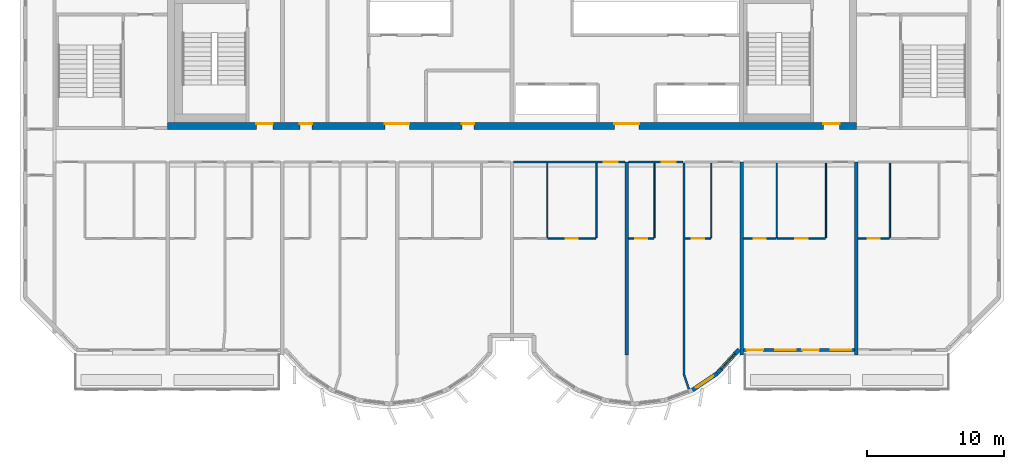
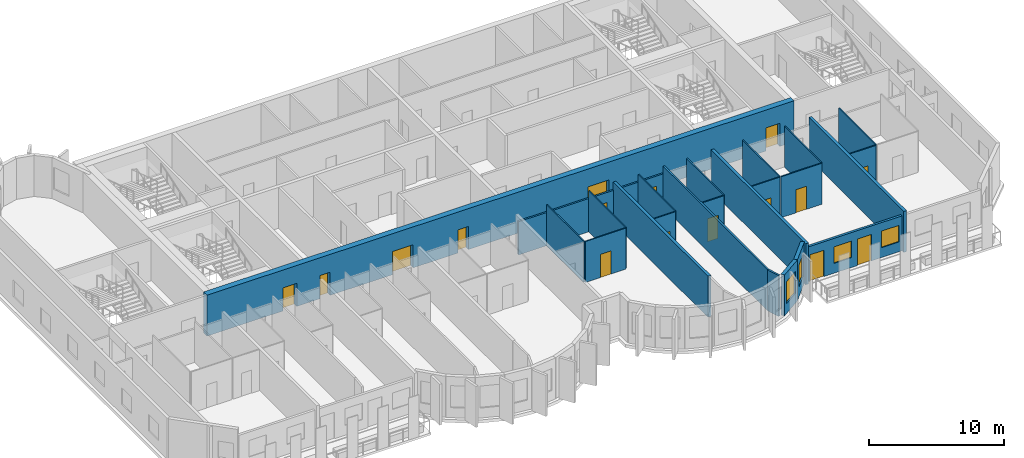
# One storey, part 5 of 12: 24 walls, 16 doors, 4 windows, 20 openings.
"""IFC4 building model written with IfcOpenShell, lengths in metres."""

import ifcopenshell
import ifcopenshell.guid

model = None  # the IFC model being written
_history = None  # IfcOwnerHistory: only IFC2X3 demands one
_inside = {}  # id of a spatial element -> (the spatial element, [elements in it])
_under = {}  # id of a project, library or spatial element -> (it, [spatial elements below it])
_declared = {}  # id of a project -> (the project, [libraries it declares])
_typed = {}  # id of a type object -> (the type object, [elements of that type])
_made_of = {}  # id of a material, layer set ... -> (it, [elements and type objects made of it])


def new_model(schema):
    """Start an empty IFC model of exactly this schema.

    Asked for "IFC4X3", IfcOpenShell would pick the latest addendum, in which some entities
    have other attributes; the version numbers below select the first issue.
    IFC2X3 requires an IfcOwnerHistory on every rooted entity: one is made here for all.
    """
    global model, _history
    if schema == "IFC4X3":
        model = ifcopenshell.file(schema_version=(4, 3, 0, 0))
    else:
        model = ifcopenshell.file(schema=schema)
    _inside.clear()
    _under.clear()
    _declared.clear()
    _typed.clear()
    _made_of.clear()
    _history = None
    if model.schema == "IFC2X3":
        org = make("IfcOrganization", Name="unknown")
        user = make(
            "IfcPersonAndOrganization",
            ThePerson=make("IfcPerson", FamilyName="unknown"),
            TheOrganization=org,
        )
        app = make(
            "IfcApplication",
            ApplicationDeveloper=org,
            Version="unknown",
            ApplicationFullName="unknown",
            ApplicationIdentifier="unknown",
        )
        _history = make(
            "IfcOwnerHistory",
            OwningUser=user,
            OwningApplication=app,
            ChangeAction="ADDED",
            CreationDate=0,
        )
    return model


def make(cls, **values):
    """One entity of the class cls with the attributes given. An attribute that is None is left unset."""
    return model.create_entity(
        cls, **{name: value for name, value in values.items() if value is not None}
    )


def rooted(cls, **values):
    """An entity with a GlobalId (a new one), such as an element, a storey or a relation."""
    return make(cls, GlobalId=ifcopenshell.guid.new(), OwnerHistory=_history, **values)


def si_unit(unit_type, name, prefix=None):
    """IfcSIUnit, for example si_unit("LENGTHUNIT", "METRE", prefix="MILLI")."""
    return make("IfcSIUnit", UnitType=unit_type, Prefix=prefix, Name=name)


def assignment(units):
    """IfcUnitAssignment: the units of a project."""
    return None if units is None else make("IfcUnitAssignment", Units=units)


def point(xyz):
    """IfcCartesianPoint."""
    return None if xyz is None else make("IfcCartesianPoint", Coordinates=xyz)


def direction(xyz):
    """IfcDirection."""
    return None if xyz is None else make("IfcDirection", DirectionRatios=xyz)


def frame(location, z_axis=None, x_axis=None):
    """IfcAxis2Placement3D, a coordinate frame: its origin and axes. An axis left out is left unset."""
    return make(
        "IfcAxis2Placement3D",
        Location=point(location),
        Axis=direction(z_axis),
        RefDirection=direction(x_axis),
    )


def frame_2d(location, x_axis=None):
    """IfcAxis2Placement2D, a coordinate frame in the plane: its origin and x axis."""
    return make(
        "IfcAxis2Placement2D", Location=point(location), RefDirection=direction(x_axis)
    )


def origin():
    """The frame at (0, 0, 0) with its axes left unset."""
    return frame((0.0, 0.0, 0.0))


def place(relative_to, where):
    """IfcLocalPlacement: puts the frame where relative to a parent placement (None: the world)."""
    return make(
        "IfcLocalPlacement", PlacementRelTo=relative_to, RelativePlacement=where
    )


def context(
    kind, dimensions, precision=None, world=None, true_north=None, identifier=None
):
    """IfcGeometricRepresentationContext, for example the 3D "Model" context."""
    return make(
        "IfcGeometricRepresentationContext",
        ContextIdentifier=identifier,
        ContextType=kind,
        CoordinateSpaceDimension=dimensions,
        Precision=precision,
        WorldCoordinateSystem=world,
        TrueNorth=true_north,
    )


def subcontext(parent, identifier, kind, view, scale=None):
    """IfcGeometricRepresentationSubContext, for example "Body" below "Model"."""
    return make(
        "IfcGeometricRepresentationSubContext",
        ContextIdentifier=identifier,
        ContextType=kind,
        ParentContext=parent,
        TargetScale=scale,
        TargetView=view,
    )


def project(units=None, contexts=None):
    """IfcProject with its units and contexts."""
    return rooted(
        "IfcProject",
        Name="project",
        RepresentationContexts=contexts,
        UnitsInContext=assignment(units),
    )


def spatial(cls, under=None, at=None, **own):
    """A site, building, storey or space (cls), placed at a placement, below another one or the project."""
    s = rooted(cls, ObjectPlacement=at, **own)
    if under is not None:
        _under.setdefault(under.id(), (under, []))[1].append(s)
    return s


def profile(cls, at=None, kind="AREA", **sizes):
    """A parametric profile (cls). Its sizes go by their IFC names, for example OverallWidth=200.0."""
    return make(cls, ProfileType=kind, Position=at, **sizes)


def rectangle(**sizes):
    """IfcRectangleProfileDef."""
    return profile("IfcRectangleProfileDef", **sizes)


def extrude(swept, where, along, depth):
    """IfcExtrudedAreaSolid: the profile swept, set in the frame where, extruded along a direction by depth."""
    return make(
        "IfcExtrudedAreaSolid",
        SweptArea=swept,
        Position=where,
        ExtrudedDirection=direction(along),
        Depth=depth,
    )


def shape(context_of_items, identifier, shape_type, items):
    """IfcShapeRepresentation: the items that make up one representation, for example the "Body"."""
    return make(
        "IfcShapeRepresentation",
        ContextOfItems=context_of_items,
        RepresentationIdentifier=identifier,
        RepresentationType=shape_type,
        Items=items,
    )


def source(mapping_origin, context_of_items, identifier, shape_type, items):
    """IfcRepresentationMap: a shape defined once, which mapped items show again and again."""
    return make(
        "IfcRepresentationMap",
        MappingOrigin=mapping_origin,
        MappedRepresentation=shape(context_of_items, identifier, shape_type, items),
    )


def transform(
    local_origin,
    x_axis=None,
    y_axis=None,
    z_axis=None,
    scale=None,
    scale2=None,
    scale3=None,
    uniform=True,
):
    """IfcCartesianTransformationOperator3D, or its non-uniform kind. x_axis, y_axis, z_axis: its Axis1, 2, 3."""
    if uniform:
        return make(
            "IfcCartesianTransformationOperator3D",
            Axis1=direction(x_axis),
            Axis2=direction(y_axis),
            LocalOrigin=point(local_origin),
            Scale=scale,
            Axis3=direction(z_axis),
        )
    return make(
        "IfcCartesianTransformationOperator3DnonUniform",
        Axis1=direction(x_axis),
        Axis2=direction(y_axis),
        LocalOrigin=point(local_origin),
        Scale=scale,
        Axis3=direction(z_axis),
        Scale2=scale2,
        Scale3=scale3,
    )


def mapped(mapping_source, mapping_target):
    """IfcMappedItem: shows the shape of a source again, moved by a transform."""
    return make(
        "IfcMappedItem", MappingSource=mapping_source, MappingTarget=mapping_target
    )


def material(Name=None, Category=None):
    """IfcMaterial."""
    return make("IfcMaterial", Name=Name, Category=Category)


def layer(
    of_material, thickness, ventilated=None, Name=None, Category=None, Priority=None
):
    """IfcMaterialLayer: one layer of a wall or slab, of a material (None: an air gap)."""
    return make(
        "IfcMaterialLayer",
        Material=of_material,
        LayerThickness=thickness,
        IsVentilated=ventilated,
        Name=Name,
        Category=Category,
        Priority=Priority,
    )


def layer_set(layers, Name=None):
    """IfcMaterialLayerSet."""
    return make("IfcMaterialLayerSet", MaterialLayers=layers, LayerSetName=Name)


def made_of(thing, what):
    """Note that an element or type object is made of a material, layer set ...; save() writes the relation."""
    if what is not None:
        _made_of.setdefault(what.id(), (what, []))[1].append(thing)
    return thing


def type_object(cls, material=None, **own):
    """A type object (cls), such as IfcWallType, which elements share."""
    return made_of(rooted(cls, **own), material)


def element(
    cls,
    number,
    at=None,
    inside=None,
    cuts=None,
    type_object=None,
    material=None,
    context=None,
    identifier="Body",
    shape_type=None,
    held_by="IfcProductDefinitionShape",
    body=None,
    shapes=None,
    **own,
):
    """One element of the class cls, such as IfcWall. Its Tag is "e" and its number.

    at: its placement. inside: the storey or other place that contains it. cuts: it is an
    opening in that element (IfcRelVoidsElement). A single representation is given by context,
    identifier, shape_type and body (its items); several are given by shapes. held_by: the class
    of the entity that holds the representations. save() writes the other relations.
    """
    e = rooted(cls, Tag="e%d" % number, ObjectPlacement=at, **own)
    if body is not None:
        shapes = [shape(context, identifier, shape_type, body)]
    if shapes is not None:
        e.Representation = make(held_by, Representations=shapes)
    if inside is not None:
        _inside.setdefault(inside.id(), (inside, []))[1].append(e)
    if cuts is not None:
        rooted(
            "IfcRelVoidsElement", RelatingBuildingElement=cuts, RelatedOpeningElement=e
        )
    if type_object is not None:
        _typed.setdefault(type_object.id(), (type_object, []))[1].append(e)
    return made_of(e, material)


def fill(opening, filler):
    """IfcRelFillsElement: the door or window that sits in an opening."""
    return rooted(
        "IfcRelFillsElement",
        RelatingOpeningElement=opening,
        RelatedBuildingElement=filler,
    )


def aggregate(whole, parts):
    """IfcRelAggregates: a whole, such as a stair, and the parts it consists of."""
    return rooted("IfcRelAggregates", RelatingObject=whole, RelatedObjects=parts)


def save(model, path):
    """Write the relations noted so far, then the file.

    IfcRelAggregates (storeys below a building ...), IfcRelContainedInSpatialStructure (elements
    in a storey), IfcRelDefinesByType, IfcRelAssociatesMaterial and IfcRelDeclares: one each for
    every whole, place, type object, material and project.
    """
    for whole, parts in _under.values():
        aggregate(whole, parts)
    for where, things in _inside.values():
        rooted(
            "IfcRelContainedInSpatialStructure",
            RelatedElements=things,
            RelatingStructure=where,
        )
    for kind, things in _typed.values():
        rooted("IfcRelDefinesByType", RelatedObjects=things, RelatingType=kind)
    for what, things in _made_of.values():
        rooted("IfcRelAssociatesMaterial", RelatedObjects=things, RelatingMaterial=what)
    for by, libraries in _declared.values():
        rooted("IfcRelDeclares", RelatingContext=by, RelatedDefinitions=libraries)
    model.write(path)


model = new_model("IFC4")

# Units and contexts
model_context = context("Model", 3, precision=1e-05, world=origin(), true_north=direction((0.0, 1.0)))
body_context = subcontext(model_context, "Body", "Model", "MODEL_VIEW")
ifc_project = project(units=[si_unit("LENGTHUNIT", "METRE"), si_unit("AREAUNIT", "SQUARE_METRE"), si_unit("VOLUMEUNIT", "CUBIC_METRE"), si_unit("PLANEANGLEUNIT", "RADIAN"), si_unit("MASSUNIT", "GRAM", prefix="KILO")], contexts=[model_context])

# Site, building, storey
site_placement = place(None, origin())
site = spatial("IfcSite", under=ifc_project, at=site_placement, CompositionType="ELEMENT")
building_placement = place(site_placement, origin())
building = spatial("IfcBuilding", under=site, at=building_placement, Name="Vanashikhar Sky Hotel", CompositionType="ELEMENT")
storey_placement = place(building_placement, frame((0.0, 0.0, 293.699951171875)))
storey = spatial("IfcBuildingStorey", under=building, at=storey_placement, Name="L70", CompositionType="ELEMENT", Elevation=293.699951171875)

# Wall, openings, doors
ifc_material_1 = material(Name="Concrete M50", Category="concrete")
ifc_layer_1 = layer(ifc_material_1, 0.5)
ifc_layer_set_1 = layer_set([ifc_layer_1], Name="RC core shell wall 500 Concrete M50")
wall_type_1 = type_object("IfcWallType", Name="RC core shell wall 500 Concrete M50", PredefinedType="SHEAR", material=ifc_layer_set_1)
shared_shape_1 = source(origin(), body_context, "Body", "SweptSolid", [
    extrude(rectangle(XDim=50.400146484375, YDim=0.5, at=frame_2d((25.2001953125, 0.0))), origin(), (0.0, 0.0, 1.0), 3.719970703125),
])
wall_1_placement = place(storey_placement, frame((25.199951171875, 22.25, 0.0), z_axis=(0.0, 0.0, 1.0), x_axis=(1.0, 0.0, 0.0)))
wall_1 = element("IfcWall", 1, at=wall_1_placement, inside=storey, type_object=wall_type_1, Name="KW-L70-KS", PredefinedType="SHEAR", context=body_context, shape_type="MappedRepresentation", body=[
    mapped(shared_shape_1, transform((0.0, 0.0, 0.0), scale=1.0)),
])
shared_shape_2 = source(origin(), body_context, "Body", "SweptSolid", [
    extrude(rectangle(XDim=1.800048828125, YDim=2.10009765625, at=frame_2d((0.89990234375, 1.050048828125))), frame((0.0, 0.260009765625, 0.0), z_axis=(0.0, -1.0, 0.0), x_axis=(1.0, 0.0, 0.0)), (0.0, 0.0, 1.0), 0.52001953125),
])
opening_1_placement = place(wall_1_placement, frame((15.89990234375, 0.0, 0.0)))
opening_1 = element("IfcOpeningElement", 2, at=opening_1_placement, cuts=wall_1, Name="Opening DC-3-A", PredefinedType="OPENING", context=body_context, shape_type="MappedRepresentation", body=[
    mapped(shared_shape_2, transform((0.0, 0.0, 0.0), scale=1.0)),
])
shared_shape_3 = source(origin(), body_context, "Body", "SweptSolid", [
    extrude(rectangle(XDim=0.89990234375, YDim=2.10009765625, at=frame_2d((0.449951171875, 1.050048828125))), frame((0.0, 0.260009765625, 0.0), z_axis=(0.0, -1.0, 0.0), x_axis=(1.0, 0.0, 0.0)), (0.0, 0.0, 1.0), 0.52001953125),
])
opening_2_placement = place(wall_1_placement, frame((9.675048828125, 0.0, 0.0)))
opening_2 = element("IfcOpeningElement", 3, at=opening_2_placement, cuts=wall_1, Name="Opening DC-4-A", PredefinedType="OPENING", context=body_context, shape_type="MappedRepresentation", body=[
    mapped(shared_shape_3, transform((0.0, 0.0, 0.0), scale=1.0)),
])
opening_3_placement = place(wall_1_placement, frame((21.52490234375, 0.0, 0.0)))
opening_3 = element("IfcOpeningElement", 4, at=opening_3_placement, cuts=wall_1, Name="Opening DC-4-A", PredefinedType="OPENING", context=body_context, shape_type="MappedRepresentation", body=[
    mapped(shared_shape_3, transform((0.0, 0.0, 0.0), scale=1.0)),
])
opening_4_placement = place(wall_1_placement, frame((32.699951171875, 0.0, 0.0)))
opening_4 = element("IfcOpeningElement", 5, at=opening_4_placement, cuts=wall_1, Name="Opening DC-3-A", PredefinedType="OPENING", context=body_context, shape_type="MappedRepresentation", body=[
    mapped(shared_shape_2, transform((0.0, 0.0, 0.0), scale=1.0)),
])
shared_shape_4 = source(origin(), body_context, "Body", "SweptSolid", [
    extrude(rectangle(XDim=1.199951171875, YDim=2.10009765625, at=frame_2d((0.60009765625, 1.050048828125))), frame((0.0, 0.260009765625, 0.0), z_axis=(0.0, -1.0, 0.0), x_axis=(1.0, 0.0, 0.0)), (0.0, 0.0, 1.0), 0.52001953125),
])
opening_5_placement = place(wall_1_placement, frame((6.5, 0.0, 0.0)))
opening_5 = element("IfcOpeningElement", 6, at=opening_5_placement, cuts=wall_1, Name="Opening DC-2", PredefinedType="OPENING", context=body_context, shape_type="MappedRepresentation", body=[
    mapped(shared_shape_4, transform((0.0, 0.0, 0.0), scale=1.0)),
])
opening_6_placement = place(wall_1_placement, frame((47.97509765625, 0.0, 0.0)))
opening_6 = element("IfcOpeningElement", 7, at=opening_6_placement, cuts=wall_1, Name="Opening DC-2", PredefinedType="OPENING", context=body_context, shape_type="MappedRepresentation", body=[
    mapped(shared_shape_4, transform((0.0, 0.0, 0.0), scale=1.0)),
])
ifc_material_2 = material(Name="Steel", Category="steel")
door_type_1 = type_object("IfcDoorType", Name="Firefighting lobby door 1200 FD120", OperationType="NOTDEFINED", PredefinedType="DOOR", material=ifc_material_2)
shared_shape_5 = source(origin(), body_context, "Body", "SweptSolid", [
    extrude(rectangle(XDim=1.199951171875, YDim=2.10009765625, at=frame_2d((0.60009765625, 1.050048828125))), frame((0.0, 0.1748046875, 0.0), z_axis=(0.0, -1.0, 0.0), x_axis=(1.0, 0.0, 0.0)), (0.0, 0.0, 1.0), 0.050048828125),
])
door_1_placement = place(opening_5_placement, origin())
door_1 = element("IfcDoor", 8, at=door_1_placement, inside=storey, type_object=door_type_1, Name="Firefighting lobby door 1200 FD120", OperationType="SINGLE_SWING_LEFT", OverallHeight=2.10009765625, OverallWidth=1.199951171875, PredefinedType="DOOR", context=body_context, shape_type="MappedRepresentation", body=[
    mapped(shared_shape_5, transform((0.0, 0.0, 0.0), scale=1.0)),
])
fill(opening_5, door_1)
door_2_placement = place(opening_6_placement, origin())
door_2 = element("IfcDoor", 9, at=door_2_placement, inside=storey, type_object=door_type_1, Name="Firefighting lobby door 1200 FD120", OperationType="SINGLE_SWING_RIGHT", OverallHeight=2.10009765625, OverallWidth=1.199951171875, PredefinedType="DOOR", context=body_context, shape_type="MappedRepresentation", body=[
    mapped(shared_shape_5, transform((0.0, 0.0, 0.0), scale=1.0)),
])
fill(opening_6, door_2)
door_type_2 = type_object("IfcDoorType", Name="Service door 900 FD60", OperationType="NOTDEFINED", PredefinedType="DOOR", material=ifc_material_2)
shared_shape_6 = source(origin(), body_context, "Body", "SweptSolid", [
    extrude(rectangle(XDim=0.89990234375, YDim=2.10009765625, at=frame_2d((0.449951171875, 1.050048828125))), frame((0.0, 0.1748046875, 0.0), z_axis=(0.0, -1.0, 0.0), x_axis=(1.0, 0.0, 0.0)), (0.0, 0.0, 1.0), 0.050048828125),
])
door_3_placement = place(opening_2_placement, origin())
door_3 = element("IfcDoor", 10, at=door_3_placement, inside=storey, type_object=door_type_2, Name="Service door 900 FD60", OperationType="SINGLE_SWING_RIGHT", OverallHeight=2.10009765625, OverallWidth=0.89990234375, PredefinedType="DOOR", context=body_context, shape_type="MappedRepresentation", body=[
    mapped(shared_shape_6, transform((0.0, 0.0, 0.0), scale=1.0)),
])
fill(opening_2, door_3)
door_4_placement = place(opening_3_placement, origin())
door_4 = element("IfcDoor", 11, at=door_4_placement, inside=storey, type_object=door_type_2, Name="Service door 900 FD60", OperationType="SINGLE_SWING_LEFT", OverallHeight=2.10009765625, OverallWidth=0.89990234375, PredefinedType="DOOR", context=body_context, shape_type="MappedRepresentation", body=[
    mapped(shared_shape_6, transform((0.0, 0.0, 0.0), scale=1.0)),
])
fill(opening_3, door_4)
ifc_material_3 = material(Name="Glass", Category="glass")
door_type_3 = type_object("IfcDoorType", Name="Lift lobby entrance door 1800 FD30S", OperationType="NOTDEFINED", PredefinedType="DOOR", material=ifc_material_3)
shared_shape_7 = source(origin(), body_context, "Body", "SweptSolid", [
    extrude(rectangle(XDim=1.800048828125, YDim=2.10009765625, at=frame_2d((0.89990234375, 1.050048828125))), frame((0.0, 0.1748046875, 0.0), z_axis=(0.0, -1.0, 0.0), x_axis=(1.0, 0.0, 0.0)), (0.0, 0.0, 1.0), 0.050048828125),
])
door_5_placement = place(opening_1_placement, origin())
door_5 = element("IfcDoor", 12, at=door_5_placement, inside=storey, type_object=door_type_3, Name="Lift lobby entrance door 1800 FD30S", OperationType="DOUBLE_DOOR_SINGLE_SWING", OverallHeight=2.10009765625, OverallWidth=1.800048828125, PredefinedType="DOOR", context=body_context, shape_type="MappedRepresentation", body=[
    mapped(shared_shape_7, transform((0.0, 0.0, 0.0), scale=1.0)),
])
fill(opening_1, door_5)
door_6_placement = place(opening_4_placement, origin())
door_6 = element("IfcDoor", 13, at=door_6_placement, inside=storey, type_object=door_type_3, Name="Lift lobby entrance door 1800 FD30S", OperationType="DOUBLE_DOOR_SINGLE_SWING", OverallHeight=2.10009765625, OverallWidth=1.800048828125, PredefinedType="DOOR", context=body_context, shape_type="MappedRepresentation", body=[
    mapped(shared_shape_7, transform((0.0, 0.0, 0.0), scale=1.0)),
])
fill(opening_4, door_6)

# Walls
ifc_layer_2 = layer(ifc_material_1, 0.25)
ifc_layer_set_2 = layer_set([ifc_layer_2], Name="RC shear wall 250 Concrete M50")
wall_type_2 = type_object("IfcWallType", Name="RC shear wall 250 Concrete M50", PredefinedType="SHEAR", material=ifc_layer_set_2)
shared_shape_8 = source(origin(), body_context, "Body", "SweptSolid", [
    extrude(rectangle(XDim=14.10009765625, YDim=0.25, at=frame_2d((7.050048828125, 0.0))), origin(), (0.0, 0.0, 1.0), 3.719970703125),
])
for number, where, z_axis, x_axis, name in (
    (14, (58.800048828125, 5.5, 0.0), (0.0, 0.0, 1.0), (0.0, 1.0, 0.0), "CW-L70-XW08-1"),
    (15, (67.199951171875, 5.5, 0.0), (0.0, 0.0, 1.0), (0.0, 1.0, 0.0), "CW-L70-XW09-1"),
    (16, (75.60009765625, 5.5, 0.0), (0.0, 0.0, 1.0), (0.0, 1.0, 0.0), "CW-L70-XW10-1"),
):
    element("IfcWall", number, at=place(storey_placement, frame(where, z_axis=z_axis, x_axis=x_axis)), inside=storey, type_object=wall_type_2, Name=name, PredefinedType="SHEAR", context=body_context, shape_type="MappedRepresentation", body=[
        mapped(shared_shape_8, transform((0.0, 0.0, 0.0), scale=1.0)),
    ])

# Wall, openings, windows, doors
ifc_layer_3 = layer(ifc_material_1, 0.199951171875)
ifc_layer_set_3 = layer_set([ifc_layer_3], Name="Front window wall 200")
wall_type_3 = type_object("IfcWallType", Name="Front window wall 200", PredefinedType="SOLIDWALL", material=ifc_layer_set_3)
shared_shape_9 = source(origin(), body_context, "Body", "SweptSolid", [
    extrude(rectangle(XDim=8.150146484375, YDim=0.199951171875, at=frame_2d((4.0751953125, 0.0))), origin(), (0.0, 0.0, 1.0), 3.170166015625),
])
wall_2_placement = place(storey_placement, frame((67.324951171875, 5.85009765625, 0.0), z_axis=(0.0, 0.0, 1.0), x_axis=(1.0, 0.0, 0.0)))
wall_2 = element("IfcWall", 17, at=wall_2_placement, inside=storey, type_object=wall_type_3, Name="Front window wall", PredefinedType="SOLIDWALL", context=body_context, shape_type="MappedRepresentation", body=[
    mapped(shared_shape_9, transform((0.0, 0.0, 0.0), scale=1.0)),
])
shared_shape_10 = source(origin(), body_context, "Body", "SweptSolid", [
    extrude(rectangle(XDim=1.199951171875, YDim=2.39990234375, at=frame_2d((0.60009765625, 1.199951171875))), frame((0.0, 0.10986328125, 0.0), z_axis=(0.0, -1.0, 0.0), x_axis=(1.0, 0.0, 0.0)), (0.0, 0.0, 1.0), 0.219970703125),
])
opening_7_placement = place(wall_2_placement, frame((0.25, 0.0, 0.0)))
opening_7 = element("IfcOpeningElement", 18, at=opening_7_placement, cuts=wall_2, Name="Opening BD-03", PredefinedType="OPENING", context=body_context, shape_type="MappedRepresentation", body=[
    mapped(shared_shape_10, transform((0.0, 0.0, 0.0), scale=1.0)),
])
shared_shape_11 = source(origin(), body_context, "Body", "SweptSolid", [
    extrude(rectangle(XDim=1.5, YDim=1.5, at=frame_2d((0.75, 0.75))), frame((0.0, 0.10986328125, 0.0), z_axis=(0.0, -1.0, 0.0), x_axis=(1.0, 0.0, 0.0)), (0.0, 0.0, 1.0), 0.219970703125),
])
opening_8_placement = place(wall_2_placement, frame((2.324951171875, 0.0, 0.89990234375)))
opening_8 = element("IfcOpeningElement", 19, at=opening_8_placement, cuts=wall_2, Name="Opening WN-1", PredefinedType="OPENING", context=body_context, shape_type="MappedRepresentation", body=[
    mapped(shared_shape_11, transform((0.0, 0.0, 0.0), scale=1.0)),
])
opening_9_placement = place(wall_2_placement, frame((4.324951171875, 0.0, 0.0)))
opening_9 = element("IfcOpeningElement", 20, at=opening_9_placement, cuts=wall_2, Name="Opening BD-04", PredefinedType="OPENING", context=body_context, shape_type="MappedRepresentation", body=[
    mapped(shared_shape_10, transform((0.0, 0.0, 0.0), scale=1.0)),
])
opening_10_placement = place(wall_2_placement, frame((6.39990234375, 0.0, 0.89990234375)))
opening_10 = element("IfcOpeningElement", 21, at=opening_10_placement, cuts=wall_2, Name="Opening WN-1", PredefinedType="OPENING", context=body_context, shape_type="MappedRepresentation", body=[
    mapped(shared_shape_11, transform((0.0, 0.0, 0.0), scale=1.0)),
])
window_type_1 = type_object("IfcWindowType", Name="Window 1500 x 1500", PartitioningType="SINGLE_PANEL", PredefinedType="WINDOW", material=ifc_material_3)
shared_shape_12 = source(origin(), body_context, "Body", "SweptSolid", [
    extrude(rectangle(XDim=1.5, YDim=1.5, at=frame_2d((0.75, 0.75))), frame((0.0, 0.030029296875, 0.0), z_axis=(0.0, -1.0, 0.0), x_axis=(1.0, 0.0, 0.0)), (0.0, 0.0, 1.0), 0.06005859375),
])
window_1_placement = place(opening_8_placement, origin())
window_1 = element("IfcWindow", 22, at=window_1_placement, inside=storey, type_object=window_type_1, Name="Window WN-1", OverallHeight=1.5, OverallWidth=1.5, PartitioningType="SINGLE_PANEL", PredefinedType="WINDOW", context=body_context, shape_type="MappedRepresentation", body=[
    mapped(shared_shape_12, transform((0.0, 0.0, 0.0), scale=1.0)),
])
fill(opening_8, window_1)
window_2_placement = place(opening_10_placement, origin())
window_2 = element("IfcWindow", 23, at=window_2_placement, inside=storey, type_object=window_type_1, Name="Window WN-1", OverallHeight=1.5, OverallWidth=1.5, PartitioningType="SINGLE_PANEL", PredefinedType="WINDOW", context=body_context, shape_type="MappedRepresentation", body=[
    mapped(shared_shape_12, transform((0.0, 0.0, 0.0), scale=1.0)),
])
fill(opening_10, window_2)
ifc_material_4 = material(Name="Aluminium", Category="aluminium")
door_type_4 = type_object("IfcDoorType", Name="Balcony sliding door 1200 x 2400", OperationType="NOTDEFINED", PredefinedType="DOOR", material=ifc_material_4)
shared_shape_13 = source(origin(), body_context, "Body", "SweptSolid", [
    extrude(rectangle(XDim=1.199951171875, YDim=2.39990234375, at=frame_2d((0.60009765625, 1.199951171875))), frame((0.0, 0.02490234375, 0.0), z_axis=(0.0, -1.0, 0.0), x_axis=(1.0, 0.0, 0.0)), (0.0, 0.0, 1.0), 0.050048828125),
])
door_7_placement = place(opening_7_placement, origin())
door_7 = element("IfcDoor", 24, at=door_7_placement, inside=storey, type_object=door_type_4, Name="Balcony sliding door", OperationType="SLIDING_TO_LEFT", OverallHeight=2.39990234375, OverallWidth=1.199951171875, PredefinedType="DOOR", context=body_context, shape_type="MappedRepresentation", body=[
    mapped(shared_shape_13, transform((0.0, 0.0, 0.0), scale=1.0)),
])
fill(opening_7, door_7)
door_8_placement = place(opening_9_placement, origin())
door_8 = element("IfcDoor", 25, at=door_8_placement, inside=storey, type_object=door_type_4, Name="Balcony sliding door", OperationType="SLIDING_TO_RIGHT", OverallHeight=2.39990234375, OverallWidth=1.199951171875, PredefinedType="DOOR", context=body_context, shape_type="MappedRepresentation", body=[
    mapped(shared_shape_13, transform((0.0, 0.0, 0.0), scale=1.0)),
])
fill(opening_9, door_8)

# Wall, opening, window
ifc_layer_4 = layer(ifc_material_1, 0.300048828125)
ifc_layer_set_4 = layer_set([ifc_layer_4], Name="Lobe wall 300")
wall_type_4 = type_object("IfcWallType", Name="Lobe wall 300", PredefinedType="SOLIDWALL", material=ifc_layer_set_4)
shared_shape_14 = source(origin(), body_context, "Body", "SweptSolid", [
    extrude(rectangle(XDim=2.398193359375, YDim=0.300048828125, at=frame_2d((1.19921875, 0.0))), origin(), (0.0, 0.0, 1.0), 3.719970703125),
])
wall_3_placement = place(storey_placement, frame((65.404296875, 4.13134765625, 0.0), z_axis=(0.0, 0.0, 1.0), x_axis=(0.675374189419, 0.737475222815, 0.0)))
wall_3 = element("IfcWall", 26, at=wall_3_placement, inside=storey, type_object=wall_type_4, Name="Lobe wall", PredefinedType="SOLIDWALL", context=body_context, shape_type="MappedRepresentation", body=[
    mapped(shared_shape_14, transform((0.0, 0.0, 0.0), scale=1.0)),
])
shared_shape_15 = source(origin(), body_context, "Body", "SweptSolid", [
    extrude(rectangle(XDim=1.5, YDim=2.0, at=frame_2d((0.75, 1.0))), frame((0.0, 0.16015625, 0.0), z_axis=(0.0, -1.0, 0.0), x_axis=(1.0, 0.0, 0.0)), (0.0, 0.0, 1.0), 0.320068359375),
])
opening_11_placement = place(wall_3_placement, frame((0.44921875, 0.0, 0.89990234375)))
opening_11 = element("IfcOpeningElement", 27, at=opening_11_placement, cuts=wall_3, Name="Opening WN-2", PredefinedType="OPENING", context=body_context, shape_type="MappedRepresentation", body=[
    mapped(shared_shape_15, transform((0.0, 0.0, 0.0), scale=1.0)),
])
window_type_2 = type_object("IfcWindowType", Name="Lobe window 1500 x 2000", PartitioningType="SINGLE_PANEL", PredefinedType="WINDOW", material=ifc_material_3)
shared_shape_16 = source(origin(), body_context, "Body", "SweptSolid", [
    extrude(rectangle(XDim=1.5, YDim=2.0, at=frame_2d((0.75, 1.0))), frame((0.0, 0.030029296875, 0.0), z_axis=(0.0, -1.0, 0.0), x_axis=(1.0, 0.0, 0.0)), (0.0, 0.0, 1.0), 0.06005859375),
])
window_3_placement = place(opening_11_placement, origin())
window_3 = element("IfcWindow", 28, at=window_3_placement, inside=storey, type_object=window_type_2, Name="Window WN-2", OverallHeight=2.0, OverallWidth=1.5, PartitioningType="SINGLE_PANEL", PredefinedType="WINDOW", context=body_context, shape_type="MappedRepresentation", body=[
    mapped(shared_shape_16, transform((0.0, 0.0, 0.0), scale=1.0)),
])
fill(opening_11, window_3)

shared_shape_17 = source(origin(), body_context, "Body", "SweptSolid", [
    extrude(rectangle(XDim=2.17578125, YDim=0.300048828125, at=frame_2d((1.087890625, 0.0))), origin(), (0.0, 0.0, 1.0), 3.719970703125),
])
wall_4_placement = place(storey_placement, frame((63.59912109375, 2.91650390625, 0.0), z_axis=(0.0, 0.0, 1.0), x_axis=(0.829625727223, 0.558319937607, 0.0)))
wall_4 = element("IfcWall", 29, at=wall_4_placement, inside=storey, type_object=wall_type_4, Name="Lobe wall", PredefinedType="SOLIDWALL", context=body_context, shape_type="MappedRepresentation", body=[
    mapped(shared_shape_17, transform((0.0, 0.0, 0.0), scale=1.0)),
])
opening_12_placement = place(wall_4_placement, frame((0.337890625, 0.0, 0.89990234375)))
opening_12 = element("IfcOpeningElement", 30, at=opening_12_placement, cuts=wall_4, Name="Opening WN-2", PredefinedType="OPENING", context=body_context, shape_type="MappedRepresentation", body=[
    mapped(shared_shape_15, transform((0.0, 0.0, 0.0), scale=1.0)),
])
window_4_placement = place(opening_12_placement, origin())
window_4 = element("IfcWindow", 31, at=window_4_placement, inside=storey, type_object=window_type_2, Name="Window WN-2", OverallHeight=2.0, OverallWidth=1.5, PartitioningType="SINGLE_PANEL", PredefinedType="WINDOW", context=body_context, shape_type="MappedRepresentation", body=[
    mapped(shared_shape_16, transform((0.0, 0.0, 0.0), scale=1.0)),
])
fill(opening_12, window_4)

# Wall, opening, door
ifc_material_5 = material(Name="Gypsum plasterboard partition")
ifc_layer_5 = layer(ifc_material_5, 0.10009765625)
ifc_layer_set_5 = layer_set([ifc_layer_5], Name="Wet room partition 100")
wall_type_5 = type_object("IfcWallType", Name="Wet room partition 100", PredefinedType="PARTITIONING", material=ifc_layer_set_5)
shared_shape_18 = source(origin(), body_context, "Body", "SweptSolid", [
    extrude(rectangle(XDim=3.5, YDim=0.10009765625, at=frame_2d((1.75, 0.0))), origin(), (0.0, 0.0, 1.0), 3.719970703125),
])
wall_5_placement = place(storey_placement, frame((53.02490234375, 14.0, 0.0), z_axis=(0.0, 0.0, 1.0), x_axis=(1.0, 0.0, 0.0)))
wall_5 = element("IfcWall", 32, at=wall_5_placement, inside=storey, type_object=wall_type_5, Name="W-L70-PW027", PredefinedType="PARTITIONING", context=body_context, shape_type="MappedRepresentation", body=[
    mapped(shared_shape_18, transform((0.0, 0.0, 0.0), scale=1.0)),
])
shared_shape_19 = source(origin(), body_context, "Body", "SweptSolid", [
    extrude(rectangle(XDim=0.89990234375, YDim=2.10009765625, at=frame_2d((0.449951171875, 1.050048828125))), frame((0.0, 0.06005859375, 0.0), z_axis=(0.0, -1.0, 0.0), x_axis=(1.0, 0.0, 0.0)), (0.0, 0.0, 1.0), 0.1201171875),
])
opening_13_placement = place(wall_5_placement, frame((1.300048828125, 0.0, 0.0)))
opening_13 = element("IfcOpeningElement", 33, at=opening_13_placement, cuts=wall_5, Name="Opening D-02", PredefinedType="OPENING", context=body_context, shape_type="MappedRepresentation", body=[
    mapped(shared_shape_19, transform((0.0, 0.0, 0.0), scale=1.0)),
])
ifc_material_6 = material(Name="Timber door", Category="wood")
door_type_5 = type_object("IfcDoorType", Name="Internal door 900", OperationType="NOTDEFINED", PredefinedType="DOOR", material=ifc_material_6)
shared_shape_20 = source(origin(), body_context, "Body", "SweptSolid", [
    extrude(rectangle(XDim=0.89990234375, YDim=2.10009765625, at=frame_2d((0.449951171875, 1.050048828125))), frame((0.0, 0.02490234375, 0.0), z_axis=(0.0, -1.0, 0.0), x_axis=(1.0, 0.0, 0.0)), (0.0, 0.0, 1.0), 0.050048828125),
])
door_9_placement = place(opening_13_placement, origin())
door_9 = element("IfcDoor", 34, at=door_9_placement, inside=storey, type_object=door_type_5, Name="D-L70-015", OperationType="SINGLE_SWING_RIGHT", OverallHeight=2.10009765625, OverallWidth=0.89990234375, PredefinedType="DOOR", context=body_context, shape_type="MappedRepresentation", body=[
    mapped(shared_shape_20, transform((0.0, 0.0, 0.0), scale=1.0)),
])
fill(opening_13, door_9)

wall_6_placement = place(storey_placement, frame((69.824951171875, 14.0, 0.0), z_axis=(0.0, 0.0, 1.0), x_axis=(1.0, 0.0, 0.0)))
wall_6 = element("IfcWall", 35, at=wall_6_placement, inside=storey, type_object=wall_type_5, Name="W-L70-PW039", PredefinedType="PARTITIONING", context=body_context, shape_type="MappedRepresentation", body=[
    mapped(shared_shape_18, transform((0.0, 0.0, 0.0), scale=1.0)),
])
opening_14_placement = place(wall_6_placement, frame((1.300048828125, 0.0, 0.0)))
opening_14 = element("IfcOpeningElement", 36, at=opening_14_placement, cuts=wall_6, Name="Opening D-02", PredefinedType="OPENING", context=body_context, shape_type="MappedRepresentation", body=[
    mapped(shared_shape_19, transform((0.0, 0.0, 0.0), scale=1.0)),
])
door_10_placement = place(opening_14_placement, origin())
door_10 = element("IfcDoor", 37, at=door_10_placement, inside=storey, type_object=door_type_5, Name="D-L70-022", OperationType="SINGLE_SWING_RIGHT", OverallHeight=2.10009765625, OverallWidth=0.89990234375, PredefinedType="DOOR", context=body_context, shape_type="MappedRepresentation", body=[
    mapped(shared_shape_20, transform((0.0, 0.0, 0.0), scale=1.0)),
])
fill(opening_14, door_10)

ifc_layer_6 = layer(ifc_material_5, 0.14990234375)
ifc_layer_set_6 = layer_set([ifc_layer_6], Name="Corridor and demising partition 150")
wall_type_6 = type_object("IfcWallType", Name="Corridor and demising partition 150", PredefinedType="PARTITIONING", material=ifc_layer_set_6)
shared_shape_21 = source(origin(), body_context, "Body", "SweptSolid", [
    extrude(rectangle(XDim=8.150146484375, YDim=0.14990234375, at=frame_2d((4.0751953125, 0.0))), origin(), (0.0, 0.0, 1.0), 3.02001953125),
])
wall_7_placement = place(storey_placement, frame((50.52490234375, 19.60009765625, 0.0), z_axis=(0.0, 0.0, 1.0), x_axis=(1.0, 0.0, 0.0)))
wall_7 = element("IfcWall", 38, at=wall_7_placement, inside=storey, type_object=wall_type_6, Name="W-L70-PW029", PredefinedType="PARTITIONING", context=body_context, shape_type="MappedRepresentation", body=[
    mapped(shared_shape_21, transform((0.0, 0.0, 0.0), scale=1.0)),
])
shared_shape_22 = source(origin(), body_context, "Body", "SweptSolid", [
    extrude(rectangle(XDim=1.0, YDim=2.10009765625, at=frame_2d((0.5, 1.050048828125))), frame((0.0, 0.0849609375, 0.0), z_axis=(0.0, -1.0, 0.0), x_axis=(1.0, 0.0, 0.0)), (0.0, 0.0, 1.0), 0.169921875),
])
opening_15_placement = place(wall_7_placement, frame((6.60009765625, 0.0, 0.0)))
opening_15 = element("IfcOpeningElement", 39, at=opening_15_placement, cuts=wall_7, Name="Opening D-01", PredefinedType="OPENING", context=body_context, shape_type="MappedRepresentation", body=[
    mapped(shared_shape_22, transform((0.0, 0.0, 0.0), scale=1.0)),
])
ifc_material_7 = material(Name="Timber fire door", Category="wood")
door_type_6 = type_object("IfcDoorType", Name="Guest entry door 1000 FD30S", OperationType="NOTDEFINED", PredefinedType="DOOR", material=ifc_material_7)
shared_shape_23 = source(origin(), body_context, "Body", "SweptSolid", [
    extrude(rectangle(XDim=1.0, YDim=2.10009765625, at=frame_2d((0.5, 1.050048828125))), frame((0.0, 0.02490234375, 0.0), z_axis=(0.0, -1.0, 0.0), x_axis=(1.0, 0.0, 0.0)), (0.0, 0.0, 1.0), 0.050048828125),
])
door_11_placement = place(opening_15_placement, origin())
door_11 = element("IfcDoor", 40, at=door_11_placement, inside=storey, type_object=door_type_6, Name="D-L70-017", OperationType="SINGLE_SWING_RIGHT", OverallHeight=2.10009765625, OverallWidth=1.0, PredefinedType="DOOR", context=body_context, shape_type="MappedRepresentation", body=[
    mapped(shared_shape_23, transform((0.0, 0.0, 0.0), scale=1.0)),
])
fill(opening_15, door_11)

# Walls
shared_shape_24 = source(origin(), body_context, "Body", "SweptSolid", [
    extrude(rectangle(XDim=5.449951171875, YDim=0.10009765625, at=frame_2d((2.72509765625, 0.0))), origin(), (0.0, 0.0, 1.0), 3.719970703125),
])
for number, where, z_axis, x_axis, name in (
    (41, (56.574951171875, 14.074951171875, 0.0), (0.0, 0.0, 1.0), (0.0, 1.0, 0.0), "W-L70-PW025"),
    (42, (52.97509765625, 14.074951171875, 0.0), (0.0, 0.0, 1.0), (0.0, 1.0, 0.0), "W-L70-PW026"),
    (43, (60.824951171875, 14.074951171875, 0.0), (0.0, 0.0, 1.0), (0.0, 1.0, 0.0), "W-L70-PW030"),
    (44, (64.97509765625, 14.074951171875, 0.0), (0.0, 0.0, 1.0), (0.0, 1.0, 0.0), "W-L70-PW033"),
    (45, (73.375, 14.074951171875, 0.0), (0.0, 0.0, 1.0), (0.0, 1.0, 0.0), "W-L70-PW037"),
    (46, (69.77490234375, 14.074951171875, 0.0), (0.0, 0.0, 1.0), (0.0, 1.0, 0.0), "W-L70-PW038"),
    (47, (78.050048828125, 14.074951171875, 0.0), (0.0, 0.0, 1.0), (0.0, 1.0, 0.0), "W-L70-PW043"),
):
    element("IfcWall", number, at=place(storey_placement, frame(where, z_axis=z_axis, x_axis=x_axis)), inside=storey, type_object=wall_type_5, Name=name, PredefinedType="PARTITIONING", context=body_context, shape_type="MappedRepresentation", body=[
        mapped(shared_shape_24, transform((0.0, 0.0, 0.0), scale=1.0)),
    ])

# Wall, opening, door
shared_shape_25 = source(origin(), body_context, "Body", "SweptSolid", [
    extrude(rectangle(XDim=2.27490234375, YDim=0.10009765625, at=frame_2d((1.137451171875, 0.0))), origin(), (0.0, 0.0, 1.0), 3.719970703125),
])
wall_8_placement = place(storey_placement, frame((75.72509765625, 14.0, 0.0), z_axis=(0.0, 0.0, 1.0), x_axis=(1.0, 0.0, 0.0)))
wall_8 = element("IfcWall", 48, at=wall_8_placement, inside=storey, type_object=wall_type_5, Name="W-L70-PW045", PredefinedType="PARTITIONING", context=body_context, shape_type="MappedRepresentation", body=[
    mapped(shared_shape_25, transform((0.0, 0.0, 0.0), scale=1.0)),
])
opening_16_placement = place(wall_8_placement, frame((0.68798828125, 0.0, 0.0)))
opening_16 = element("IfcOpeningElement", 49, at=opening_16_placement, cuts=wall_8, Name="Opening D-02", PredefinedType="OPENING", context=body_context, shape_type="MappedRepresentation", body=[
    mapped(shared_shape_19, transform((0.0, 0.0, 0.0), scale=1.0)),
])
door_12_placement = place(opening_16_placement, origin())
door_12 = element("IfcDoor", 50, at=door_12_placement, inside=storey, type_object=door_type_5, Name="D-L70-026", OperationType="SINGLE_SWING_RIGHT", OverallHeight=2.10009765625, OverallWidth=0.89990234375, PredefinedType="DOOR", context=body_context, shape_type="MappedRepresentation", body=[
    mapped(shared_shape_20, transform((0.0, 0.0, 0.0), scale=1.0)),
])
fill(opening_16, door_12)

shared_shape_26 = source(origin(), body_context, "Body", "SweptSolid", [
    extrude(rectangle(XDim=1.85009765625, YDim=0.10009765625, at=frame_2d((0.925048828125, 0.0))), origin(), (0.0, 0.0, 1.0), 3.719970703125),
])
wall_9_placement = place(storey_placement, frame((63.074951171875, 14.0, 0.0), z_axis=(0.0, 0.0, 1.0), x_axis=(1.0, 0.0, 0.0)))
wall_9 = element("IfcWall", 51, at=wall_9_placement, inside=storey, type_object=wall_type_5, Name="W-L70-PW034", PredefinedType="PARTITIONING", context=body_context, shape_type="MappedRepresentation", body=[
    mapped(shared_shape_26, transform((0.0, 0.0, 0.0), scale=1.0)),
])
opening_17_placement = place(wall_9_placement, frame((0.47509765625, 0.0, 0.0)))
opening_17 = element("IfcOpeningElement", 52, at=opening_17_placement, cuts=wall_9, Name="Opening D-02", PredefinedType="OPENING", context=body_context, shape_type="MappedRepresentation", body=[
    mapped(shared_shape_19, transform((0.0, 0.0, 0.0), scale=1.0)),
])
door_13_placement = place(opening_17_placement, origin())
door_13 = element("IfcDoor", 53, at=door_13_placement, inside=storey, type_object=door_type_5, Name="D-L70-020", OperationType="SINGLE_SWING_RIGHT", OverallHeight=2.10009765625, OverallWidth=0.89990234375, PredefinedType="DOOR", context=body_context, shape_type="MappedRepresentation", body=[
    mapped(shared_shape_20, transform((0.0, 0.0, 0.0), scale=1.0)),
])
fill(opening_17, door_13)

shared_shape_27 = source(origin(), body_context, "Body", "SweptSolid", [
    extrude(rectangle(XDim=4.0, YDim=0.14990234375, at=frame_2d((2.0, 0.0))), origin(), (0.0, 0.0, 1.0), 3.02001953125),
])
wall_10_placement = place(storey_placement, frame((58.925048828125, 19.60009765625, 0.0), z_axis=(0.0, 0.0, 1.0), x_axis=(1.0, 0.0, 0.0)))
wall_10 = element("IfcWall", 54, at=wall_10_placement, inside=storey, type_object=wall_type_6, Name="W-L70-PW032", PredefinedType="PARTITIONING", context=body_context, shape_type="MappedRepresentation", body=[
    mapped(shared_shape_27, transform((0.0, 0.0, 0.0), scale=1.0)),
])
opening_18_placement = place(wall_10_placement, frame((2.449951171875, 0.0, 0.0)))
opening_18 = element("IfcOpeningElement", 55, at=opening_18_placement, cuts=wall_10, Name="Opening D-01", PredefinedType="OPENING", context=body_context, shape_type="MappedRepresentation", body=[
    mapped(shared_shape_22, transform((0.0, 0.0, 0.0), scale=1.0)),
])
door_14_placement = place(opening_18_placement, origin())
door_14 = element("IfcDoor", 56, at=door_14_placement, inside=storey, type_object=door_type_6, Name="D-L70-019", OperationType="SINGLE_SWING_RIGHT", OverallHeight=2.10009765625, OverallWidth=1.0, PredefinedType="DOOR", context=body_context, shape_type="MappedRepresentation", body=[
    mapped(shared_shape_23, transform((0.0, 0.0, 0.0), scale=1.0)),
])
fill(opening_18, door_14)

shared_shape_28 = source(origin(), body_context, "Body", "SweptSolid", [
    extrude(rectangle(XDim=1.849853515625, YDim=0.10009765625, at=frame_2d((0.9248046875, 0.0))), origin(), (0.0, 0.0, 1.0), 3.719970703125),
])
wall_11_placement = place(storey_placement, frame((58.925048828125, 14.0, 0.0), z_axis=(0.0, 0.0, 1.0), x_axis=(1.0, 0.0, 0.0)))
wall_11 = element("IfcWall", 57, at=wall_11_placement, inside=storey, type_object=wall_type_5, Name="W-L70-PW031", PredefinedType="PARTITIONING", context=body_context, shape_type="MappedRepresentation", body=[
    mapped(shared_shape_28, transform((0.0, 0.0, 0.0), scale=1.0)),
])
opening_19_placement = place(wall_11_placement, frame((0.47509765625, 0.0, 0.0)))
opening_19 = element("IfcOpeningElement", 58, at=opening_19_placement, cuts=wall_11, Name="Opening D-02", PredefinedType="OPENING", context=body_context, shape_type="MappedRepresentation", body=[
    mapped(shared_shape_19, transform((0.0, 0.0, 0.0), scale=1.0)),
])
door_15_placement = place(opening_19_placement, origin())
door_15 = element("IfcDoor", 59, at=door_15_placement, inside=storey, type_object=door_type_5, Name="D-L70-018", OperationType="SINGLE_SWING_RIGHT", OverallHeight=2.10009765625, OverallWidth=0.89990234375, PredefinedType="DOOR", context=body_context, shape_type="MappedRepresentation", body=[
    mapped(shared_shape_20, transform((0.0, 0.0, 0.0), scale=1.0)),
])
fill(opening_19, door_15)

# Wall
shared_shape_29 = source(origin(), body_context, "Body", "SweptSolid", [
    extrude(rectangle(XDim=15.497802734375, YDim=0.14990234375, at=frame_2d((7.7490234375, 0.0))), origin(), (0.0, 0.0, 1.0), 3.719970703125),
])
wall_12_placement = place(storey_placement, frame((63.0, 4.027099609375, 0.0), z_axis=(0.0, 0.0, 1.0), x_axis=(0.0, 1.0, 0.0)))
element("IfcWall", 60, at=wall_12_placement, inside=storey, type_object=wall_type_6, Name="W-L70-PW036", PredefinedType="PARTITIONING", context=body_context, shape_type="MappedRepresentation", body=[
    mapped(shared_shape_29, transform((0.0, 0.0, 0.0), scale=1.0)),
])

# Wall, opening, door
shared_shape_30 = source(origin(), body_context, "Body", "SweptSolid", [
    extrude(rectangle(XDim=2.400146484375, YDim=0.10009765625, at=frame_2d((1.2001953125, 0.0))), origin(), (0.0, 0.0, 1.0), 3.719970703125),
])
wall_13_placement = place(storey_placement, frame((67.324951171875, 14.0, 0.0), z_axis=(0.0, 0.0, 1.0), x_axis=(1.0, 0.0, 0.0)))
wall_13 = element("IfcWall", 61, at=wall_13_placement, inside=storey, type_object=wall_type_5, Name="W-L70-PW040", PredefinedType="PARTITIONING", context=body_context, shape_type="MappedRepresentation", body=[
    mapped(shared_shape_30, transform((0.0, 0.0, 0.0), scale=1.0)),
])
opening_20_placement = place(wall_13_placement, frame((0.75, 0.0, 0.0)))
opening_20 = element("IfcOpeningElement", 62, at=opening_20_placement, cuts=wall_13, Name="Opening D-02", PredefinedType="OPENING", context=body_context, shape_type="MappedRepresentation", body=[
    mapped(shared_shape_19, transform((0.0, 0.0, 0.0), scale=1.0)),
])
door_16_placement = place(opening_20_placement, origin())
door_16 = element("IfcDoor", 63, at=door_16_placement, inside=storey, type_object=door_type_5, Name="D-L70-023", OperationType="SINGLE_SWING_RIGHT", OverallHeight=2.10009765625, OverallWidth=0.89990234375, PredefinedType="DOOR", context=body_context, shape_type="MappedRepresentation", body=[
    mapped(shared_shape_20, transform((0.0, 0.0, 0.0), scale=1.0)),
])
fill(opening_20, door_16)

# Wall
shared_shape_31 = source(origin(), body_context, "Body", "SweptSolid", [
    extrude(rectangle(XDim=1.100830078125, YDim=0.14990234375, at=frame_2d((0.55029296875, 0.0))), origin(), (0.0, 0.0, 1.0), 3.719970703125),
])
wall_14_placement = place(storey_placement, frame((63.343017578125, 2.98095703125, 0.0), z_axis=(0.0, 0.0, 1.0), x_axis=(-0.311567081539, 0.950224159712, 0.0)))
element("IfcWall", 64, at=wall_14_placement, inside=storey, type_object=wall_type_6, Name="W-L70-PW036B0", PredefinedType="PARTITIONING", context=body_context, shape_type="MappedRepresentation", body=[
    mapped(shared_shape_31, transform((0.0, 0.0, 0.0), scale=1.0)),
])

save(model, "model.ifc")
